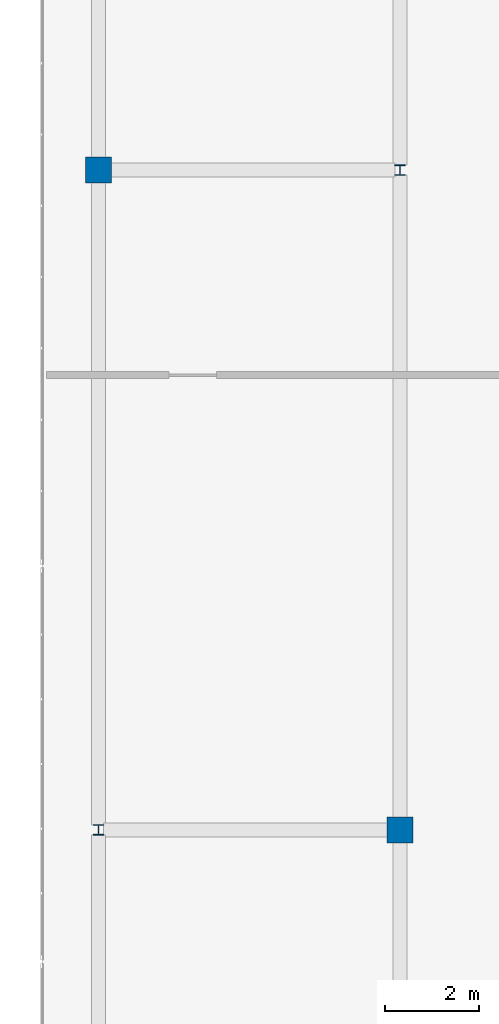
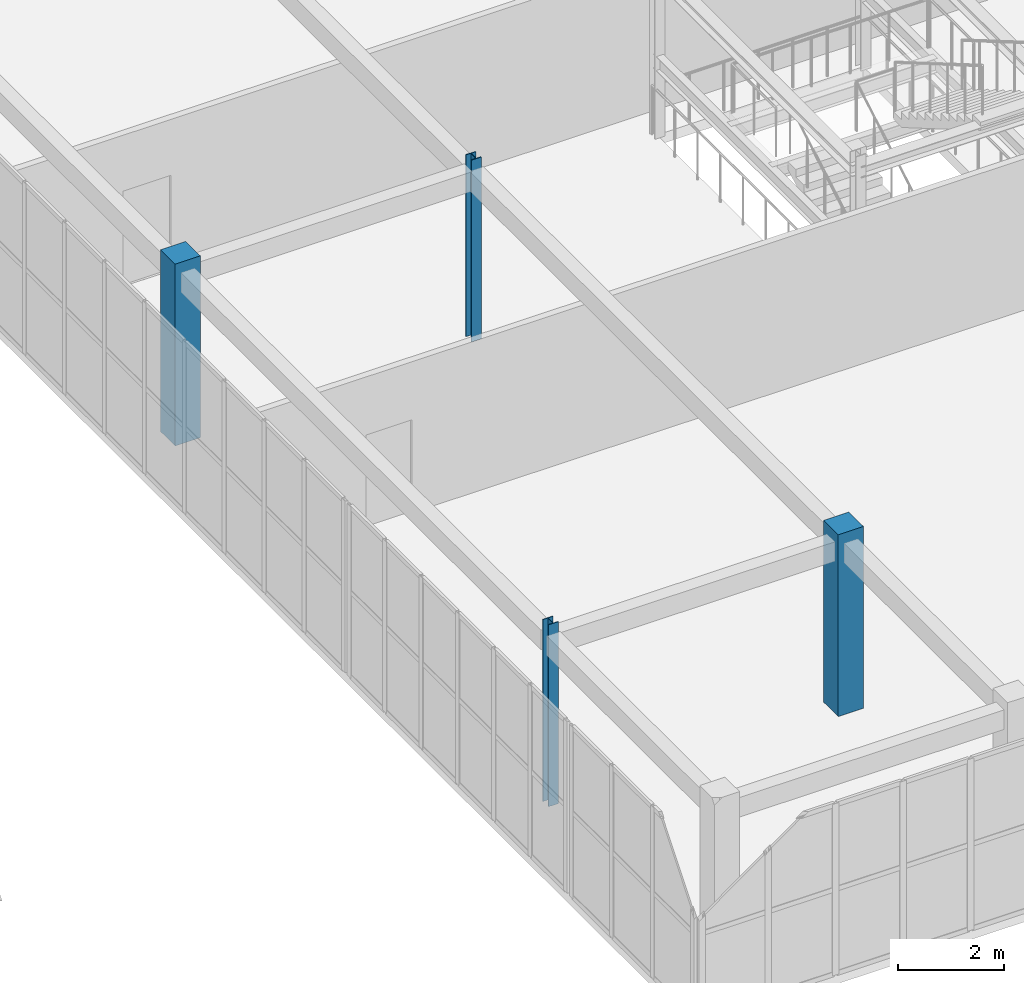
# One storey, part 2 of 140: 4 columns.
"""IFC4 building model written with IfcOpenShell, lengths in metres."""

from ifc_helpers import new_model, si_unit, direction, frame, origin, origin_2d, place, context, subcontext, project, spatial, rectangle, i_section, extrude, material, material_profile, profile_set, type_object, element, save


model = new_model("IFC4")

# Units and contexts
model_context = context("Model", 3, precision=1e-05, world=origin(), true_north=direction((0.0, 1.0)))
body_context = subcontext(model_context, "Body", "Model", "MODEL_VIEW")
ifc_project = project(units=[si_unit("LENGTHUNIT", "METRE"), si_unit("AREAUNIT", "SQUARE_METRE"), si_unit("VOLUMEUNIT", "CUBIC_METRE"), si_unit("PLANEANGLEUNIT", "RADIAN"), si_unit("MASSUNIT", "GRAM", prefix="KILO")], contexts=[model_context])

# Site, building, storey
site_placement = place(None, origin())
site = spatial("IfcSite", under=ifc_project, at=site_placement, CompositionType="ELEMENT")
building_placement = place(site_placement, origin())
building = spatial("IfcBuilding", under=site, at=building_placement, Name="Trelvath General Hospital", CompositionType="ELEMENT")
storey_placement = place(building_placement, frame((0.0, 0.0, 16.199951171875)))
storey = spatial("IfcBuildingStorey", under=building, at=storey_placement, Name="L04", CompositionType="ELEMENT", Elevation=16.199951171875)

# Columns
ifc_material_1 = material(Name="Concrete C40/50", Category="concrete")
ifc_material_profile_1 = material_profile(ifc_material_1, rectangle(XDim=0.550048828125, YDim=0.550048828125, at=origin_2d()), Name="RC550x550")
ifc_profile_set_1 = profile_set([ifc_material_profile_1], Name="Concrete C40/50")
column_type_1 = type_object("IfcColumnType", Name="Column RC550", PredefinedType="COLUMN", material=ifc_profile_set_1)
for number, where, z_axis, x_axis, name in (
    (1, (54.39990234375, 58.800048828125, 0.0), (0.0, 0.0, 1.0), (1.0, 0.0, 0.0), "Cube Interior Column CC-W13 L04"),
    (2, (60.800048828125, 44.800048828125, 0.0), (0.0, 0.0, 1.0), (1.0, 0.0, 0.0), "Cube Interior Column CC-W17 L04"),
):
    element("IfcColumn", number, at=place(storey_placement, frame(where, z_axis=z_axis, x_axis=x_axis)), inside=storey, type_object=column_type_1, Name=name, PredefinedType="COLUMN", context=body_context, shape_type="SweptSolid", body=[
        extrude(rectangle(XDim=0.550048828125, YDim=0.550048828125, at=origin_2d()), origin(), (0.0, 0.0, 1.0), 4.199951171875),
    ])
ifc_material_2 = material(Name="Steel S355", Category="steel")
ifc_material_profile_2 = material_profile(ifc_material_2, i_section(OverallWidth=0.219970703125, OverallDepth=0.219970703125, WebThickness=0.009521484375, FlangeThickness=0.01611328125, at=origin_2d()), Name="HEB220")
ifc_profile_set_2 = profile_set([ifc_material_profile_2], Name="Steel S355")
column_type_2 = type_object("IfcColumnType", Name="CubePost HEB220", PredefinedType="COLUMN", material=ifc_profile_set_2)
for number, where, z_axis, x_axis, name in (
    (3, (54.39990234375, 44.800048828125, 0.0), (0.0, 0.0, 1.0), (1.0, 0.0, 0.0), "Cube Interior Column CC-W12 L04"),
    (4, (60.800048828125, 58.800048828125, 0.0), (0.0, 0.0, 1.0), (1.0, 0.0, 0.0), "Cube Interior Column CC-W18 L04"),
):
    element("IfcColumn", number, at=place(storey_placement, frame(where, z_axis=z_axis, x_axis=x_axis)), inside=storey, type_object=column_type_2, Name=name, PredefinedType="COLUMN", context=body_context, shape_type="SweptSolid", body=[
        extrude(i_section(OverallWidth=0.219970703125, OverallDepth=0.219970703125, WebThickness=0.009521484375, FlangeThickness=0.01611328125, at=origin_2d()), origin(), (0.0, 0.0, 1.0), 4.199951171875),
    ])

save(model, "model.ifc")
